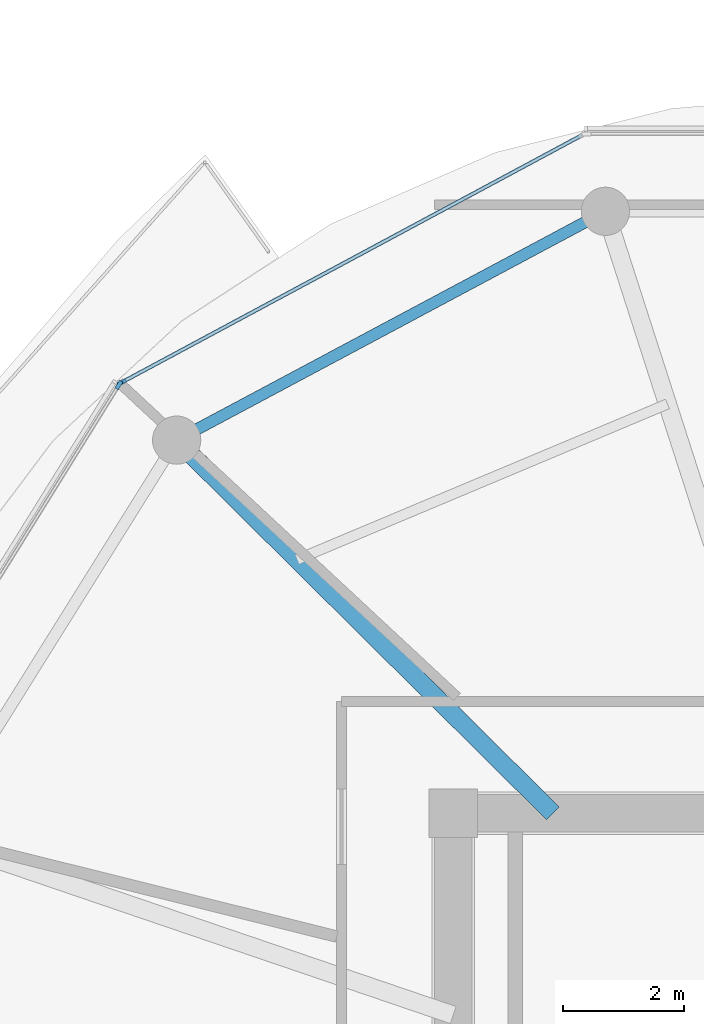
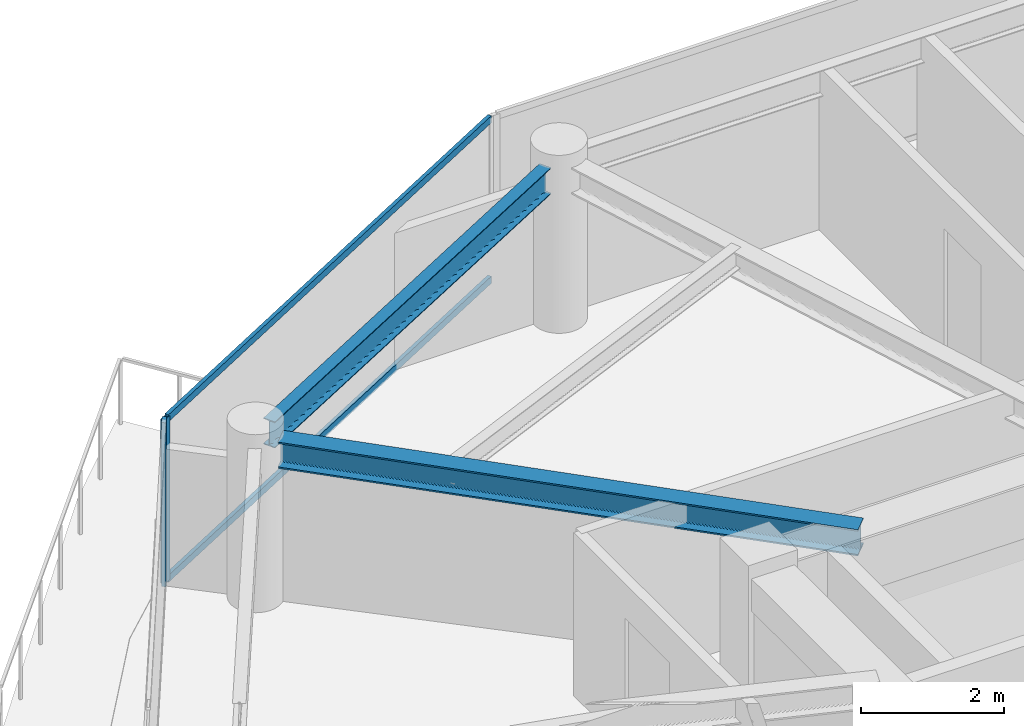
# One storey, part 8 of 22: 4 members, 2 beams, 2 elements without a shape of their own.
"""IFC4 building model written with IfcOpenShell, lengths in metres."""

from ifc_helpers import new_model, si_unit, direction, frame, origin, origin_2d, place, context, subcontext, project, spatial, rectangle, i_section, extrude, source, transform, mapped, material, layer, layer_set, material_profile, profile_set, type_object, type_shapes, element, aggregate, save


model = new_model("IFC4")

# Units and contexts
model_context = context("Model", 3, precision=1e-05, world=origin(), true_north=direction((0.0, 1.0)))
body_context = subcontext(model_context, "Body", "Model", "MODEL_VIEW")
ifc_project = project(units=[si_unit("LENGTHUNIT", "METRE"), si_unit("AREAUNIT", "SQUARE_METRE"), si_unit("VOLUMEUNIT", "CUBIC_METRE"), si_unit("PLANEANGLEUNIT", "RADIAN"), si_unit("MASSUNIT", "GRAM", prefix="KILO")], contexts=[model_context])

# Site, building, storey
site_placement = place(None, origin())
site = spatial("IfcSite", under=ifc_project, at=site_placement, CompositionType="ELEMENT")
building_placement = place(site_placement, origin())
building = spatial("IfcBuilding", under=site, at=building_placement, Name="Norrkilde Senior Care Towers", CompositionType="ELEMENT")
storey_placement = place(building_placement, frame((0.0, 0.0, 137.35009765625)))
storey = spatial("IfcBuildingStorey", under=building, at=storey_placement, Name="L42", CompositionType="ELEMENT", Elevation=137.35009765625)

# Beams
ifc_material_1 = material(Name="Steel S355", Category="steel")
ifc_material_profile_1 = material_profile(ifc_material_1, i_section(OverallWidth=0.18994140625, OverallDepth=0.449951171875, WebThickness=0.009521484375, FlangeThickness=0.0146484375, FilletRadius=0.02099609375, at=origin_2d()), Name="IPE 450")
ifc_profile_set_1 = profile_set([ifc_material_profile_1], Name="Steel S355")
beam_type_1 = type_object("IfcBeamType", Name="Perimeter Ring Spandrel Z3 IPE450", PredefinedType="SPANDREL", material=ifc_profile_set_1)
shared_shape_1 = source(origin(), body_context, "Body", "SweptSolid", [
    extrude(i_section(OverallWidth=0.18994140625, OverallDepth=0.449951171875, WebThickness=0.009521484375, FlangeThickness=0.0146484375, FilletRadius=0.02099609375, at=origin_2d()), origin(), (0.0, 0.0, 1.0), 7.333740234375),
])
type_shapes(beam_type_1, [shared_shape_1])
beam_1_placement = place(storey_placement, frame((22.55517578125, 15.756591796875, 2.5849609375), z_axis=(-0.882247866069, -0.470785198172, 0.0), x_axis=(0.470785198172, -0.882247866069, 0.0)))
element("IfcBeam", 1, at=beam_1_placement, inside=storey, type_object=beam_type_1, Name="L42 Drum E Perimeter Spandrel 04", PredefinedType="SPANDREL", context=body_context, shape_type="MappedRepresentation", body=[
    mapped(shared_shape_1, transform((0.0, 0.0, 0.0), x_axis=(1.0, 0.0, 0.0), y_axis=(0.0, 1.0, 0.0), z_axis=(0.0, 0.0, 1.0), scale=1.0)),
])
ifc_material_profile_2 = material_profile(ifc_material_1, i_section(OverallWidth=0.300048828125, OverallDepth=0.449951171875, WebThickness=0.013916015625, FlangeThickness=0.02587890625, FilletRadius=0.027099609375, at=origin_2d()), Name="HEB 450")
ifc_profile_set_2 = profile_set([ifc_material_profile_2], Name="Steel S355")
beam_type_2 = type_object("IfcBeamType", Name="Radial Floor Beam Z3 HEB450", PredefinedType="BEAM", material=ifc_profile_set_2)
shared_shape_2 = source(origin(), body_context, "Body", "SweptSolid", [
    extrude(i_section(OverallWidth=0.300048828125, OverallDepth=0.449951171875, WebThickness=0.013916015625, FlangeThickness=0.02587890625, FilletRadius=0.027099609375, at=origin_2d()), origin(), (0.0, 0.0, 1.0), 8.421630859375),
])
type_shapes(beam_type_2, [shared_shape_2])
beam_2_placement = place(storey_placement, frame((22.001953125, 5.949951171875, 2.5849609375), z_axis=(-0.709956495972, 0.704245535184, 0.0), x_axis=(-0.704245535184, -0.709956495972, 0.0)))
element("IfcBeam", 2, at=beam_2_placement, inside=storey, type_object=beam_type_2, Name="L42 Drum E Radial Floor Beam 05", PredefinedType="BEAM", context=body_context, shape_type="MappedRepresentation", body=[
    mapped(shared_shape_2, transform((0.0, 0.0, 0.0), x_axis=(1.0, 0.0, 0.0), y_axis=(0.0, 1.0, 0.0), z_axis=(0.0, 0.0, 1.0), scale=1.0)),
])

# Curtain wall, members
ifc_material_2 = material(Name="Triple Low-E Insulated Glazing", Category="glass")
ifc_layer = layer(ifc_material_2, 0.18994140625)
ifc_layer_set = layer_set([ifc_layer], Name="Triple Low-E Insulated Glazing")
curtain_wall_type = type_object("IfcCurtainWallType", Name="CW4 Zone 3 Senior Residence Curtain Wall", PredefinedType="NOTDEFINED", material=ifc_layer_set)
curtain_wall_1_placement = place(storey_placement, origin())
curtain_wall_1 = element("IfcCurtainWall", 3, at=curtain_wall_1_placement, inside=storey, type_object=curtain_wall_type, Name="L42 Drum E Curtain Wall 03", PredefinedType="NOTDEFINED")
ifc_material_3 = material(Name="Anodised Aluminium", Category="aluminium")
ifc_material_profile_3 = material_profile(ifc_material_3, rectangle(XDim=0.06005859375, YDim=0.1201171875, at=origin_2d()), Name="ALU TRAN 60x120")
ifc_profile_set_3 = profile_set([ifc_material_profile_3], Name="Anodised Aluminium")
member_type_1 = type_object("IfcMemberType", Name="Curtain Wall Transom Typical 60x120", PredefinedType="USERDEFINED", material=ifc_profile_set_3)
shared_shape_3 = source(origin(), body_context, "Body", "SweptSolid", [
    extrude(rectangle(XDim=0.06005859375, YDim=0.1201171875, at=origin_2d()), origin(), (0.0, 0.0, 1.0), 8.61181640625),
])
type_shapes(member_type_1, [shared_shape_3])
member_1_placement = place(storey_placement, frame((14.88427734375, 13.105712890625, 0.02978515625), z_axis=(0.880993991641, 0.473127452906, 0.0), x_axis=(-0.473127452906, 0.880993991641, 0.0)))
member_1 = element("IfcMember", 4, at=member_1_placement, type_object=member_type_1, Name="CW-4 transom 1.1", ObjectType="TRANSOM", PredefinedType="USERDEFINED", context=body_context, shape_type="MappedRepresentation", body=[
    mapped(shared_shape_3, transform((0.0, 0.0, 0.0), x_axis=(1.0, 0.0, 0.0), y_axis=(0.0, 1.0, 0.0), z_axis=(0.0, 0.0, 1.0), scale=1.0)),
])
member_2_placement = place(storey_placement, frame((14.88427734375, 13.105712890625, 2.77978515625), z_axis=(0.880993991641, 0.473127452906, 0.0), x_axis=(-0.473127452906, 0.880993991641, 0.0)))
member_2 = element("IfcMember", 5, at=member_2_placement, type_object=member_type_1, Name="CW-4 transom 1.2", ObjectType="TRANSOM", PredefinedType="USERDEFINED", context=body_context, shape_type="MappedRepresentation", body=[
    mapped(shared_shape_3, transform((0.0, 0.0, 0.0), x_axis=(1.0, 0.0, 0.0), y_axis=(0.0, 1.0, 0.0), z_axis=(0.0, 0.0, 1.0), scale=1.0)),
])
ifc_material_profile_4 = material_profile(ifc_material_3, rectangle(XDim=0.06494140625, YDim=0.14990234375, at=origin_2d()), Name="ALU MULL 65x150")
ifc_profile_set_4 = profile_set([ifc_material_profile_4], Name="Anodised Aluminium")
member_type_2 = type_object("IfcMemberType", Name="Curtain Wall Mullion Z3-Z4 65x150", PredefinedType="MULLION", material=ifc_profile_set_4)
shared_shape_4 = source(origin(), body_context, "Body", "SweptSolid", [
    extrude(rectangle(XDim=0.06494140625, YDim=0.14990234375, at=origin_2d()), origin(), (0.0, 0.0, 1.0), 2.809814453125),
])
type_shapes(member_type_2, [shared_shape_4])
member_3_placement = place(storey_placement, frame((14.85546875, 13.09033203125, 0.0), z_axis=(0.0, 0.0, 1.0), x_axis=(-0.47311715104, 0.880999524059, 0.0)))
member_3 = element("IfcMember", 6, at=member_3_placement, type_object=member_type_2, Name="CW-4 mullion 1", PredefinedType="MULLION", context=body_context, shape_type="MappedRepresentation", body=[
    mapped(shared_shape_4, transform((0.0, 0.0, 0.0), x_axis=(1.0, 0.0, 0.0), y_axis=(0.0, 1.0, 0.0), z_axis=(0.0, 0.0, 1.0), scale=1.0)),
])
aggregate(curtain_wall_1, [member_3, member_1, member_2])

# Curtain wall, member
curtain_wall_2_placement = place(storey_placement, origin())
curtain_wall_2 = element("IfcCurtainWall", 7, at=curtain_wall_2_placement, inside=storey, type_object=curtain_wall_type, Name="L42 Drum E Curtain Wall 04", PredefinedType="NOTDEFINED")
member_4_placement = place(storey_placement, frame((14.809814453125, 13.04736328125, 0.0), z_axis=(0.0, 0.0, 1.0), x_axis=(-0.84963405474, 0.52737270789, 0.0)))
member_4 = element("IfcMember", 8, at=member_4_placement, type_object=member_type_2, Name="CW-4 mullion 2", PredefinedType="MULLION", context=body_context, shape_type="MappedRepresentation", body=[
    mapped(shared_shape_4, transform((0.0, 0.0, 0.0), x_axis=(1.0, 0.0, 0.0), y_axis=(0.0, 1.0, 0.0), z_axis=(0.0, 0.0, 1.0), scale=1.0)),
])
aggregate(curtain_wall_2, [member_4])

save(model, "model.ifc")
